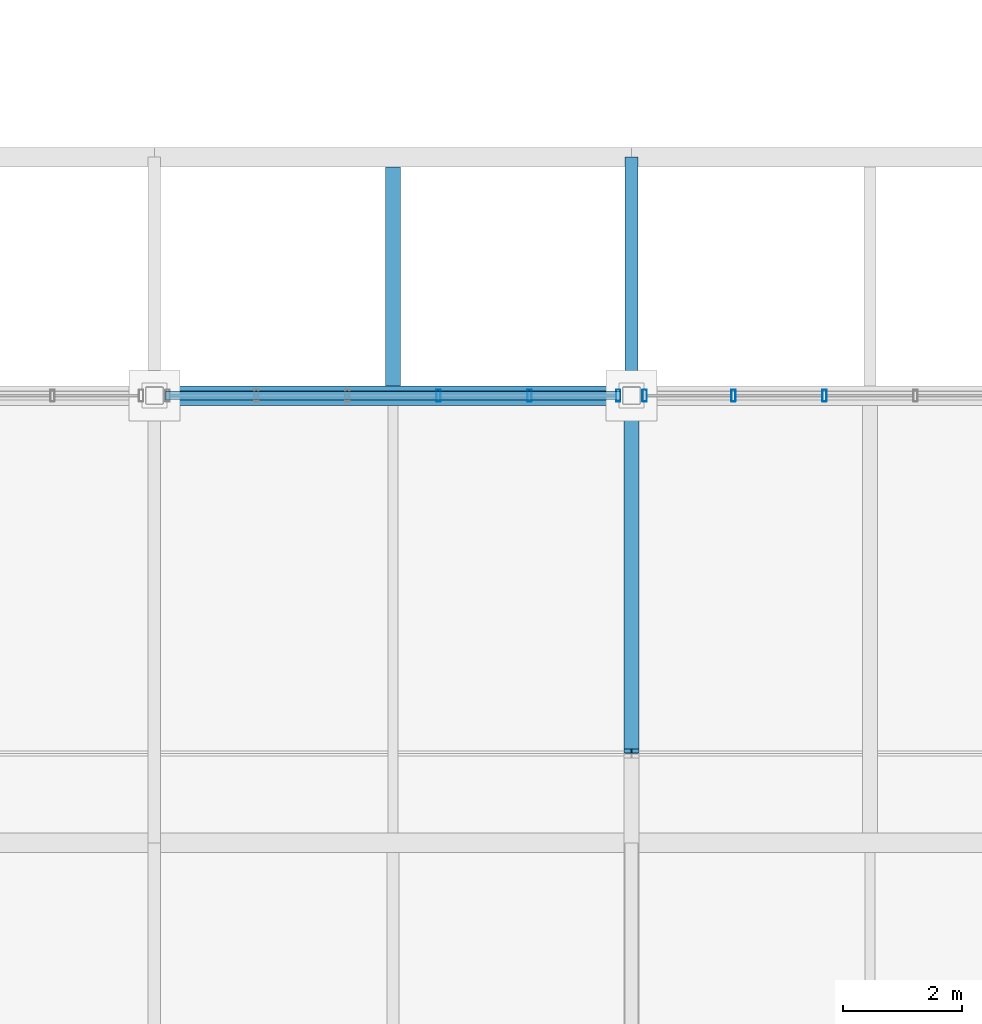
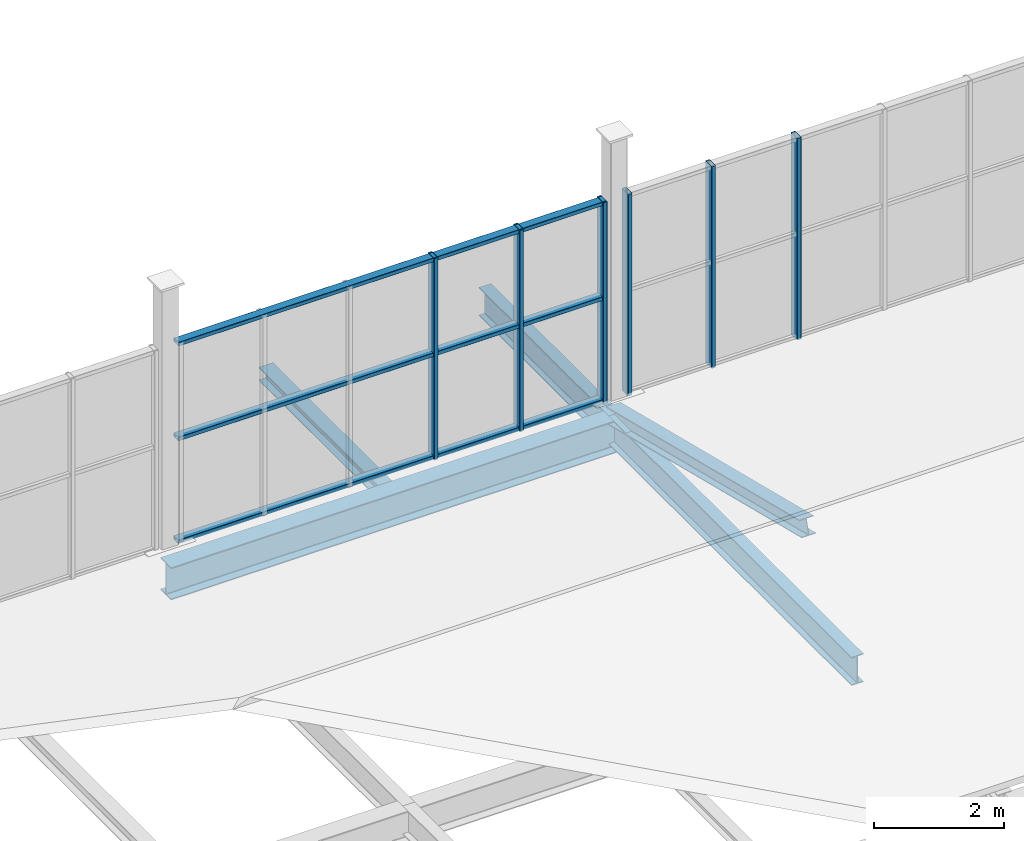
# One storey, part 39 of 96: 10 members, 4 beams, 2 elements without a shape of their own.
"""IFC4 building model written with IfcOpenShell, lengths in metres."""

from ifc_helpers import new_model, si_unit, direction, frame, origin, origin_2d, place, context, subcontext, project, spatial, hollow_rectangle, i_section, extrude, material, material_profile, profile_set, type_object, element, aggregate, save


model = new_model("IFC4")

# Units and contexts
model_context = context("Model", 3, precision=1e-05, world=origin(), true_north=direction((0.0, 1.0)))
body_context = subcontext(model_context, "Body", "Model", "MODEL_VIEW")
ifc_project = project(units=[si_unit("LENGTHUNIT", "METRE"), si_unit("AREAUNIT", "SQUARE_METRE"), si_unit("VOLUMEUNIT", "CUBIC_METRE"), si_unit("PLANEANGLEUNIT", "RADIAN"), si_unit("MASSUNIT", "GRAM", prefix="KILO")], contexts=[model_context])

# Site, building, storey
site_placement = place(None, origin())
site = spatial("IfcSite", under=ifc_project, at=site_placement, CompositionType="ELEMENT")
building_placement = place(site_placement, origin())
building = spatial("IfcBuilding", under=site, at=building_placement, Name="Verrall Gate Interchange", CompositionType="ELEMENT")
storey_placement = place(building_placement, frame((0.0, 0.0, 11.39990234375)))
storey = spatial("IfcBuildingStorey", under=building, at=storey_placement, Name="L03", CompositionType="ELEMENT", Elevation=11.39990234375)

# Beams
ifc_material_1 = material(Name="Structural Steel CSA G40.21 350WT Cat 4", Category="steel")
ifc_material_profile_1 = material_profile(ifc_material_1, i_section(OverallWidth=0.323974609375, OverallDepth=0.611083984375, WebThickness=0.0126953125, FlangeThickness=0.01904296875, FilletRadius=0.014892578125, at=origin_2d()), Name="W610x155")
ifc_profile_set_1 = profile_set([ifc_material_profile_1], Name="Structural Steel CSA G40.21 350WT Cat 4")
beam_type_1 = type_object("IfcBeamType", Name="B-08 Structural Beam W610x155", PredefinedType="BEAM", material=ifc_profile_set_1)
beam_1_placement = place(storey_placement, frame((68.0, 12.0, -0.635498046875), z_axis=(1.0, 0.0, 0.0), x_axis=(0.0, 1.0, 0.0)))
element("IfcBeam", 1, at=beam_1_placement, inside=storey, type_object=beam_type_1, Name="L03 Girder BM-L03-2016 (B-08)", PredefinedType="BEAM", context=body_context, shape_type="SweptSolid", body=[
    extrude(i_section(OverallWidth=0.323974609375, OverallDepth=0.611083984375, WebThickness=0.0126953125, FlangeThickness=0.01904296875, FilletRadius=0.014892578125, at=origin_2d()), origin(), (0.0, 0.0, 1.0), 8.0),
])
ifc_material_2 = material(Name="Structural Steel CSA G40.21 350W", Category="steel")
ifc_material_profile_2 = material_profile(ifc_material_2, i_section(OverallWidth=0.2109375, OverallDepth=0.5390625, WebThickness=0.01171875, FlangeThickness=0.018798828125, FilletRadius=0.013916015625, at=origin_2d()), Name="W530x109")
ifc_profile_set_2 = profile_set([ifc_material_profile_2], Name="Structural Steel CSA G40.21 350W")
beam_type_2 = type_object("IfcBeamType", Name="B-10 Structural Beam W530x109", PredefinedType="BEAM", material=ifc_profile_set_2)
beam_2_placement = place(storey_placement, frame((76.0, 4.5, -0.599365234375), z_axis=(0.0, 1.0, 0.0), x_axis=(-1.0, 0.0, 0.0)))
element("IfcBeam", 2, at=beam_2_placement, inside=storey, type_object=beam_type_2, Name="L03 Girder BM-L03-2292 (B-10)", PredefinedType="BEAM", context=body_context, shape_type="SweptSolid", body=[
    extrude(i_section(OverallWidth=0.2109375, OverallDepth=0.5390625, WebThickness=0.01171875, FlangeThickness=0.018798828125, FilletRadius=0.013916015625, at=origin_2d()), origin(), (0.0, 0.0, 1.0), 7.5),
])
beam_3_placement = place(storey_placement, frame((76.0, 12.0, -0.599365234375), z_axis=(0.0, 1.0, 0.0), x_axis=(-1.0, 0.0, 0.0)))
element("IfcBeam", 3, at=beam_3_placement, inside=storey, type_object=beam_type_2, Name="L03 Girder BM-L03-2293 (B-10)", PredefinedType="BEAM", context=body_context, shape_type="SweptSolid", body=[
    extrude(i_section(OverallWidth=0.2109375, OverallDepth=0.5390625, WebThickness=0.01171875, FlangeThickness=0.018798828125, FilletRadius=0.013916015625, at=origin_2d()), origin(), (0.0, 0.0, 1.0), 4.0),
])

# Curtain wall, members
ifc_material_3 = material(Name="Thermally Broken Anodized Aluminium Curtain Wall Framing", Category="aluminium")
curtain_wall_type = type_object("IfcCurtainWallType", Name="CW-53 Unitized Curtain Wall 7631x3800", PredefinedType="NOTDEFINED", material=ifc_material_3)
curtain_wall_1_placement = place(storey_placement, origin())
curtain_wall_1 = element("IfcCurtainWall", 4, at=curtain_wall_1_placement, inside=storey, type_object=curtain_wall_type, Name="L03 Unitized Curtain Wall CW-L03-CLR-168", PredefinedType="NOTDEFINED")
ifc_material_4 = material(Name="Thermally Broken Anodized Aluminium Curtain Wall Framing", Category="aluminium")
ifc_material_profile_3 = material_profile(ifc_material_4, hollow_rectangle(XDim=0.074951171875, YDim=0.199951171875, WallThickness=0.0048828125, InnerFilletRadius=0.0048828125, OuterFilletRadius=0.010009765625, at=origin_2d()), Name="CWM200x75x5")
ifc_profile_set_3 = profile_set([ifc_material_profile_3], Name="Thermally Broken Anodized Aluminium Curtain Wall Framing")
member_type_1 = type_object("IfcMemberType", Name="CM-02 Curtain Mullion CWM200x75x5", PredefinedType="MULLION", material=ifc_profile_set_3)
member_1_placement = place(storey_placement, frame((72.76318359375, 12.0, 0.0), z_axis=(0.0, 0.0, 1.0), x_axis=(1.0, 0.0, 0.0)))
member_1 = element("IfcMember", 5, at=member_1_placement, type_object=member_type_1, Name="CW-L03-CLR-168 Mullion 4", PredefinedType="MULLION", context=body_context, shape_type="SweptSolid", body=[
    extrude(hollow_rectangle(XDim=0.074951171875, YDim=0.199951171875, WallThickness=0.0048828125, InnerFilletRadius=0.0048828125, OuterFilletRadius=0.010009765625, at=origin_2d()), origin(), (0.0, 0.0, 1.0), 3.800048828125),
])
member_2_placement = place(storey_placement, frame((74.289306640625, 12.0, 0.0), z_axis=(0.0, 0.0, 1.0), x_axis=(1.0, 0.0, 0.0)))
member_2 = element("IfcMember", 6, at=member_2_placement, type_object=member_type_1, Name="CW-L03-CLR-168 Mullion 5", PredefinedType="MULLION", context=body_context, shape_type="SweptSolid", body=[
    extrude(hollow_rectangle(XDim=0.074951171875, YDim=0.199951171875, WallThickness=0.0048828125, InnerFilletRadius=0.0048828125, OuterFilletRadius=0.010009765625, at=origin_2d()), origin(), (0.0, 0.0, 1.0), 3.800048828125),
])
member_3_placement = place(storey_placement, frame((75.778076171875, 12.0, 0.0), z_axis=(0.0, 0.0, 1.0), x_axis=(1.0, 0.0, 0.0)))
member_3 = element("IfcMember", 7, at=member_3_placement, type_object=member_type_1, Name="CW-L03-CLR-168 Mullion 6", PredefinedType="MULLION", context=body_context, shape_type="SweptSolid", body=[
    extrude(hollow_rectangle(XDim=0.074951171875, YDim=0.199951171875, WallThickness=0.0048828125, InnerFilletRadius=0.0048828125, OuterFilletRadius=0.010009765625, at=origin_2d()), origin(), (0.0, 0.0, 1.0), 3.800048828125),
])

curtain_wall_2_placement = place(storey_placement, origin())
curtain_wall_2 = element("IfcCurtainWall", 8, at=curtain_wall_2_placement, inside=storey, type_object=curtain_wall_type, Name="L03 Unitized Curtain Wall CW-L03-CLR-169", PredefinedType="NOTDEFINED")
member_4_placement = place(storey_placement, frame((76.221923828125, 12.0, 0.0), z_axis=(0.0, 0.0, 1.0), x_axis=(1.0, 0.0, 0.0)))
member_4 = element("IfcMember", 9, at=member_4_placement, type_object=member_type_1, Name="CW-L03-CLR-169 Mullion 1", PredefinedType="MULLION", context=body_context, shape_type="SweptSolid", body=[
    extrude(hollow_rectangle(XDim=0.074951171875, YDim=0.199951171875, WallThickness=0.0048828125, InnerFilletRadius=0.0048828125, OuterFilletRadius=0.010009765625, at=origin_2d()), origin(), (0.0, 0.0, 1.0), 3.800048828125),
])
member_5_placement = place(storey_placement, frame((77.710693359375, 12.0, 0.0), z_axis=(0.0, 0.0, 1.0), x_axis=(1.0, 0.0, 0.0)))
member_5 = element("IfcMember", 10, at=member_5_placement, type_object=member_type_1, Name="CW-L03-CLR-169 Mullion 2", PredefinedType="MULLION", context=body_context, shape_type="SweptSolid", body=[
    extrude(hollow_rectangle(XDim=0.074951171875, YDim=0.199951171875, WallThickness=0.0048828125, InnerFilletRadius=0.0048828125, OuterFilletRadius=0.010009765625, at=origin_2d()), origin(), (0.0, 0.0, 1.0), 3.800048828125),
])
member_6_placement = place(storey_placement, frame((79.23681640625, 12.0, 0.0), z_axis=(0.0, 0.0, 1.0), x_axis=(1.0, 0.0, 0.0)))
member_6 = element("IfcMember", 11, at=member_6_placement, type_object=member_type_1, Name="CW-L03-CLR-169 Mullion 3", PredefinedType="MULLION", context=body_context, shape_type="SweptSolid", body=[
    extrude(hollow_rectangle(XDim=0.074951171875, YDim=0.199951171875, WallThickness=0.0048828125, InnerFilletRadius=0.0048828125, OuterFilletRadius=0.010009765625, at=origin_2d()), origin(), (0.0, 0.0, 1.0), 3.800048828125),
])
aggregate(curtain_wall_2, [member_4, member_5, member_6])

# Member
ifc_material_5 = material(Name="Thermally Broken Anodized Aluminium Curtain Wall Framing", Category="aluminium")
ifc_material_profile_4 = material_profile(ifc_material_5, hollow_rectangle(XDim=0.14990234375, YDim=0.074951171875, WallThickness=0.00439453125, InnerFilletRadius=0.00439453125, OuterFilletRadius=0.009033203125, at=origin_2d()), Name="CWT150x75x4.5")
ifc_profile_set_4 = profile_set([ifc_material_profile_4], Name="Thermally Broken Anodized Aluminium Curtain Wall Framing")
member_type_2 = type_object("IfcMemberType", Name="CT-02 Curtain Transom CWT150x75x4.5", PredefinedType="USERDEFINED", material=ifc_profile_set_4)
member_7_placement = place(storey_placement, frame((68.1845703125, 12.0, 0.03759765625), z_axis=(1.0, 0.0, 0.0), x_axis=(0.0, 1.0, 0.0)))
member_7 = element("IfcMember", 12, at=member_7_placement, type_object=member_type_2, Name="CW-L03-CLR-168 Transom 1", ObjectType="TRANSOM", PredefinedType="USERDEFINED", context=body_context, shape_type="SweptSolid", body=[
    extrude(hollow_rectangle(XDim=0.14990234375, YDim=0.074951171875, WallThickness=0.00439453125, InnerFilletRadius=0.00439453125, OuterFilletRadius=0.009033203125, at=origin_2d()), origin(), (0.0, 0.0, 1.0), 7.630859375),
])

member_8_placement = place(storey_placement, frame((68.1845703125, 12.0, 1.97607421875), z_axis=(1.0, 0.0, 0.0), x_axis=(0.0, 1.0, 0.0)))
member_8 = element("IfcMember", 13, at=member_8_placement, type_object=member_type_2, Name="CW-L03-CLR-168 Transom 2", ObjectType="TRANSOM", PredefinedType="USERDEFINED", context=body_context, shape_type="SweptSolid", body=[
    extrude(hollow_rectangle(XDim=0.14990234375, YDim=0.074951171875, WallThickness=0.00439453125, InnerFilletRadius=0.00439453125, OuterFilletRadius=0.009033203125, at=origin_2d()), origin(), (0.0, 0.0, 1.0), 7.630859375),
])

member_9_placement = place(storey_placement, frame((68.1845703125, 12.0, 3.7626953125), z_axis=(1.0, 0.0, 0.0), x_axis=(0.0, 1.0, 0.0)))
member_9 = element("IfcMember", 14, at=member_9_placement, type_object=member_type_2, Name="CW-L03-CLR-168 Transom 3", ObjectType="TRANSOM", PredefinedType="USERDEFINED", context=body_context, shape_type="SweptSolid", body=[
    extrude(hollow_rectangle(XDim=0.14990234375, YDim=0.074951171875, WallThickness=0.00439453125, InnerFilletRadius=0.00439453125, OuterFilletRadius=0.009033203125, at=origin_2d()), origin(), (0.0, 0.0, 1.0), 7.630859375),
])

aggregate(curtain_wall_1, [member_1, member_2, member_3, member_7, member_8, member_9])

# Beam
ifc_material_6 = material(Name="Structural Steel CSA G40.21 350W", Category="steel")
ifc_material_profile_5 = material_profile(ifc_material_6, i_section(OverallWidth=0.25390625, OverallDepth=0.2529296875, WebThickness=0.008544921875, FlangeThickness=0.01416015625, FilletRadius=0.011962890625, at=origin_2d()), Name="W250x73")
ifc_profile_set_5 = profile_set([ifc_material_profile_5], Name="Structural Steel CSA G40.21 350W")
beam_type_3 = type_object("IfcBeamType", Name="J-05 Floor Joist W250x73", PredefinedType="JOIST", material=ifc_profile_set_5)
beam_4_placement = place(storey_placement, frame((72.0, 12.162109375, -0.456298828125), z_axis=(0.0, 1.0, 0.0), x_axis=(-1.0, 0.0, 0.0)))
element("IfcBeam", 15, at=beam_4_placement, inside=storey, type_object=beam_type_3, Name="L03 Secondary Floor Joist JST-L03-2414", PredefinedType="JOIST", context=body_context, shape_type="SweptSolid", body=[
    extrude(i_section(OverallWidth=0.25390625, OverallDepth=0.2529296875, WebThickness=0.008544921875, FlangeThickness=0.01416015625, FilletRadius=0.011962890625, at=origin_2d()), origin(), (0.0, 0.0, 1.0), 3.67578125),
])

# Member
ifc_material_7 = material(Name="Structural Steel CSA G40.21 350WT Cat 4", Category="steel")
ifc_material_profile_6 = material_profile(ifc_material_7, i_section(OverallWidth=0.25390625, OverallDepth=0.305908203125, WebThickness=0.0087890625, FlangeThickness=0.0146484375, FilletRadius=0.012939453125, at=origin_2d()), Name="W310x79")
ifc_profile_set_6 = profile_set([ifc_material_profile_6], Name="Structural Steel CSA G40.21 350WT Cat 4")
member_type_3 = type_object("IfcMemberType", Name="RF-03 Folded Roof Rafter W310x79", PredefinedType="RAFTER", material=ifc_profile_set_6)
member_10_placement = place(storey_placement, frame((76.0, 12.0, -0.31982421875), z_axis=(0.0, -0.970524816174, 0.241001205786), x_axis=(1.0, 0.0, 0.0)))
element("IfcMember", 16, at=member_10_placement, inside=storey, type_object=member_type_3, Name="Portico Roof Rafter N 76", PredefinedType="RAFTER", context=body_context, shape_type="SweptSolid", body=[
    extrude(i_section(OverallWidth=0.25390625, OverallDepth=0.305908203125, WebThickness=0.0087890625, FlangeThickness=0.0146484375, FilletRadius=0.012939453125, at=origin_2d()), origin(), (0.0, 0.0, 1.0), 6.140869140625),
])

save(model, "model.ifc")
